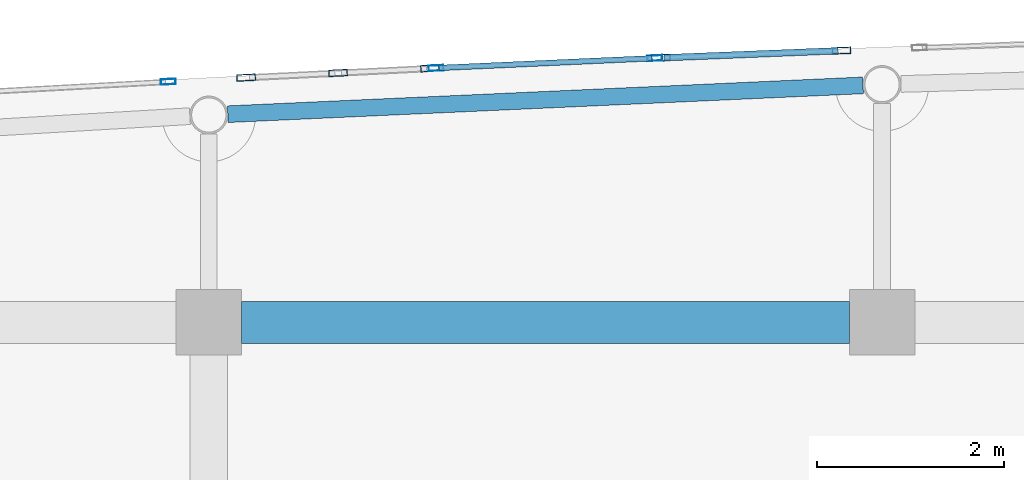
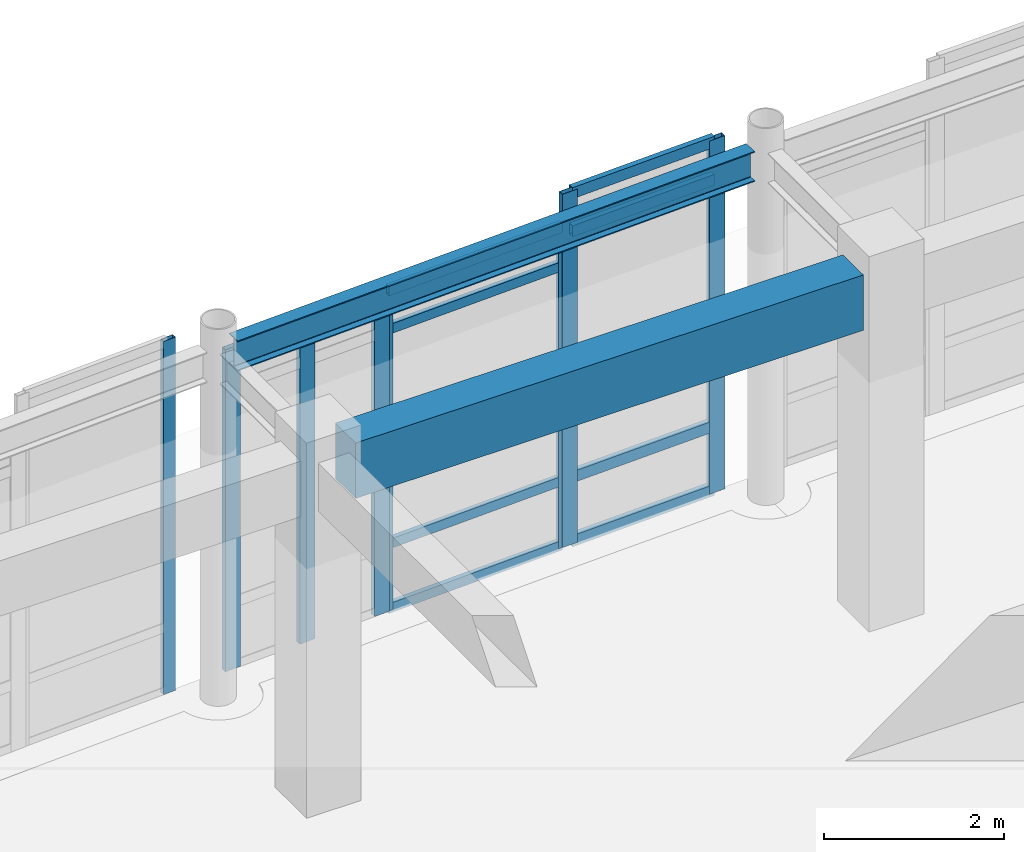
# One storey, part 46 of 117: 16 members, 2 beams, 4 elements without a shape of their own.
"""IFC4 building model written with IfcOpenShell, lengths in metres."""

from ifc_helpers import new_model, si_unit, direction, frame, origin, origin_2d, place, context, subcontext, project, spatial, rectangle, hollow_rectangle, i_section, extrude, material, layer, layer_set, material_profile, profile_set, type_object, element, aggregate, save


model = new_model("IFC4")

# Units and contexts
model_context = context("Model", 3, precision=1e-05, world=origin(), true_north=direction((0.0, 1.0)))
body_context = subcontext(model_context, "Body", "Model", "MODEL_VIEW")
ifc_project = project(units=[si_unit("LENGTHUNIT", "METRE"), si_unit("AREAUNIT", "SQUARE_METRE"), si_unit("VOLUMEUNIT", "CUBIC_METRE"), si_unit("PLANEANGLEUNIT", "RADIAN"), si_unit("MASSUNIT", "GRAM", prefix="KILO")], contexts=[model_context])

# Site, building, storey
site_placement = place(None, origin())
site = spatial("IfcSite", under=ifc_project, at=site_placement, CompositionType="ELEMENT")
building_placement = place(site_placement, origin())
building = spatial("IfcBuilding", under=site, at=building_placement, Name="Carrowvane Square Congress Hotel", CompositionType="ELEMENT")
storey_placement = place(building_placement, frame((0.0, 0.0, 5.39990234375)))
storey = spatial("IfcBuildingStorey", under=building, at=storey_placement, Name="L01", CompositionType="ELEMENT", Elevation=5.39990234375)

# Beams
ifc_material_1 = material(Name="Concrete C35/45", Category="concrete")
ifc_material_profile_1 = material_profile(ifc_material_1, rectangle(XDim=0.449951171875, YDim=0.75, at=origin_2d()), Name="RC 450x750")
ifc_profile_set_1 = profile_set([ifc_material_profile_1], Name="Concrete C35/45")
beam_type_1 = type_object("IfcBeamType", Name="BM-RC-450x750", PredefinedType="USERDEFINED", material=ifc_profile_set_1)
beam_1_placement = place(storey_placement, frame((76.75, 113.39990234375, 4.405029296875), z_axis=(1.0, 0.0, 0.0), x_axis=(0.0, 1.0, 0.0)))
element("IfcBeam", 1, at=beam_1_placement, inside=storey, type_object=beam_type_1, Name="L02 girder R/10-11", ObjectType="GIRDER", PredefinedType="USERDEFINED", context=body_context, shape_type="SweptSolid", body=[
    extrude(rectangle(XDim=0.449951171875, YDim=0.75, at=origin_2d()), origin(), (0.0, 0.0, 1.0), 6.5),
])
ifc_material_2 = material(Name="Steel S355", Category="steel")
ifc_material_profile_2 = material_profile(ifc_material_2, i_section(OverallWidth=0.1787109375, OverallDepth=0.409423828125, WebThickness=0.0087890625, FlangeThickness=0.014404296875, FilletRadius=0.01025390625, at=origin_2d()), Name="UKB 406x178x67")
ifc_profile_set_2 = profile_set([ifc_material_profile_2], Name="Steel S355")
beam_type_2 = type_object("IfcBeamType", Name="BM-ST-UKB406", PredefinedType="BEAM", material=ifc_profile_set_2)
beam_2_placement = place(storey_placement, frame((76.60302734375, 115.626708984375, 4.575439453125), z_axis=(0.998973271848, 0.045303445058, 0.0), x_axis=(-0.045303445058, 0.998973271848, 0.0)))
element("IfcBeam", 2, at=beam_2_placement, inside=storey, type_object=beam_type_2, Name="L02 curved north spandrel", PredefinedType="BEAM", context=body_context, shape_type="SweptSolid", body=[
    extrude(i_section(OverallWidth=0.1787109375, OverallDepth=0.409423828125, WebThickness=0.0087890625, FlangeThickness=0.014404296875, FilletRadius=0.01025390625, at=origin_2d()), origin(), (0.0, 0.0, 1.0), 6.801025390625),
])

# Curtain wall, member
ifc_material_3 = material(Name="Anodised aluminium", Category="aluminium")
ifc_layer_1 = layer(ifc_material_3, 0.23388671875)
ifc_layer_set_1 = layer_set([ifc_layer_1], Name="Anodised aluminium")
curtain_wall_type_1 = type_object("IfcCurtainWallType", Name="CW-SYS-7", PredefinedType="NOTDEFINED", material=ifc_layer_set_1)
curtain_wall_1_placement = place(storey_placement, origin())
curtain_wall_1 = element("IfcCurtainWall", 3, at=curtain_wall_1_placement, inside=storey, type_object=curtain_wall_type_1, Name="L01 unitised curtain wall 78", PredefinedType="NOTDEFINED")
ifc_material_4 = material(Name="Anodised aluminium", Category="aluminium")
ifc_material_profile_3 = material_profile(ifc_material_4, hollow_rectangle(XDim=0.06005859375, YDim=0.159912109375, WallThickness=0.00390625, at=origin_2d()), Name="CW-ML 60x160x4")
ifc_profile_set_3 = profile_set([ifc_material_profile_3], Name="Anodised aluminium")
member_type_1 = type_object("IfcMemberType", Name="CW-MUL-1", PredefinedType="MULLION", material=ifc_profile_set_3)
member_1_placement = place(storey_placement, frame((75.965576171875, 115.9736328125, 0.0), z_axis=(0.0, 0.0, 1.0), x_axis=(-0.054815980317, 0.998496473856, 0.0)))
member_1 = element("IfcMember", 4, at=member_1_placement, type_object=member_type_1, Name="CW-7 mullion 2", PredefinedType="MULLION", context=body_context, shape_type="SweptSolid", body=[
    extrude(hollow_rectangle(XDim=0.06005859375, YDim=0.159912109375, WallThickness=0.00390625, at=origin_2d()), origin(), (0.0, 0.0, 1.0), 4.780029296875),
])
aggregate(curtain_wall_1, [member_1])

# Curtain wall, members
ifc_material_5 = material(Name="Anodised aluminium", Category="aluminium")
ifc_layer_2 = layer(ifc_material_5, 0.162109375)
ifc_layer_set_2 = layer_set([ifc_layer_2], Name="Anodised aluminium")
curtain_wall_type_2 = type_object("IfcCurtainWallType", Name="CW-SYS-1", PredefinedType="NOTDEFINED", material=ifc_layer_set_2)
curtain_wall_2_placement = place(storey_placement, origin())
curtain_wall_2 = element("IfcCurtainWall", 5, at=curtain_wall_2_placement, inside=storey, type_object=curtain_wall_type_2, Name="L01 unitised curtain wall 80", PredefinedType="NOTDEFINED")
member_2_placement = place(storey_placement, frame((78.830078125, 116.119873046875, 0.0), z_axis=(0.0, 0.0, 1.0), x_axis=(-0.045411059449, 0.998968385726, 0.0)))
member_2 = element("IfcMember", 6, at=member_2_placement, type_object=member_type_1, Name="CW-1 mullion 1", PredefinedType="MULLION", context=body_context, shape_type="SweptSolid", body=[
    extrude(hollow_rectangle(XDim=0.06005859375, YDim=0.159912109375, WallThickness=0.00390625, at=origin_2d()), origin(), (0.0, 0.0, 1.0), 4.355712890625),
])
member_3_placement = place(storey_placement, frame((81.170166015625, 116.226318359375, 0.0), z_axis=(0.0, 0.0, 1.0), x_axis=(-0.045411059449, 0.998968385726, 0.0)))
member_3 = element("IfcMember", 7, at=member_3_placement, type_object=member_type_1, Name="CW-1 mullion 2", PredefinedType="MULLION", context=body_context, shape_type="SweptSolid", body=[
    extrude(hollow_rectangle(XDim=0.06005859375, YDim=0.159912109375, WallThickness=0.00390625, at=origin_2d()), origin(), (0.0, 0.0, 1.0), 4.355712890625),
])

ifc_material_6 = material(Name="Anodised aluminium", Category="aluminium")
ifc_layer_3 = layer(ifc_material_6, 0.24609375)
ifc_layer_set_3 = layer_set([ifc_layer_3], Name="Anodised aluminium")
curtain_wall_type_3 = type_object("IfcCurtainWallType", Name="CW-SYS-8", PredefinedType="NOTDEFINED", material=ifc_layer_set_3)
curtain_wall_3_placement = place(storey_placement, origin())
curtain_wall_3 = element("IfcCurtainWall", 8, at=curtain_wall_3_placement, inside=storey, type_object=curtain_wall_type_3, Name="L01 unitised curtain wall 79", PredefinedType="NOTDEFINED")
ifc_material_7 = material(Name="Anodised aluminium", Category="aluminium")
ifc_material_profile_4 = material_profile(ifc_material_7, hollow_rectangle(XDim=0.070068359375, YDim=0.199951171875, WallThickness=0.0048828125, at=origin_2d()), Name="CW-ML 70x200x5")
ifc_profile_set_4 = profile_set([ifc_material_profile_4], Name="Anodised aluminium")
member_type_2 = type_object("IfcMemberType", Name="CW-MUL-2", PredefinedType="MULLION", material=ifc_profile_set_4)
member_4_placement = place(storey_placement, frame((76.799560546875, 116.017822265625, 0.0), z_axis=(0.0, 0.0, 1.0), x_axis=(-0.050323791596, 0.998732955299, 0.0)))
member_4 = element("IfcMember", 9, at=member_4_placement, type_object=member_type_2, Name="CW-8 mullion 1", PredefinedType="MULLION", context=body_context, shape_type="SweptSolid", body=[
    extrude(hollow_rectangle(XDim=0.070068359375, YDim=0.199951171875, WallThickness=0.0048828125, at=origin_2d()), origin(), (0.0, 0.0, 1.0), 4.355712890625),
])
member_5_placement = place(storey_placement, frame((77.7822265625, 116.067138671875, 0.0), z_axis=(0.0, 0.0, 1.0), x_axis=(-0.050323791596, 0.998732955299, 0.0)))
member_5 = element("IfcMember", 10, at=member_5_placement, type_object=member_type_2, Name="CW-8 mullion 2", PredefinedType="MULLION", context=body_context, shape_type="SweptSolid", body=[
    extrude(hollow_rectangle(XDim=0.070068359375, YDim=0.199951171875, WallThickness=0.0048828125, at=origin_2d()), origin(), (0.0, 0.0, 1.0), 4.355712890625),
])
member_6_placement = place(storey_placement, frame((78.764892578125, 116.11669921875, 0.0), z_axis=(0.0, 0.0, 1.0), x_axis=(-0.050323791596, 0.998732955299, 0.0)))
member_6 = element("IfcMember", 11, at=member_6_placement, type_object=member_type_2, Name="CW-8 mullion 3", PredefinedType="MULLION", context=body_context, shape_type="SweptSolid", body=[
    extrude(hollow_rectangle(XDim=0.070068359375, YDim=0.199951171875, WallThickness=0.0048828125, at=origin_2d()), origin(), (0.0, 0.0, 1.0), 4.355712890625),
])
aggregate(curtain_wall_3, [member_4, member_5, member_6])

ifc_material_8 = material(Name="Anodised aluminium", Category="aluminium")
ifc_layer_4 = layer(ifc_material_8, 0.174072265625)
ifc_layer_set_4 = layer_set([ifc_layer_4], Name="Anodised aluminium")
curtain_wall_type_4 = type_object("IfcCurtainWallType", Name="CW-SYS-2", PredefinedType="NOTDEFINED", material=ifc_layer_set_4)
curtain_wall_4_placement = place(storey_placement, origin())
curtain_wall_4 = element("IfcCurtainWall", 12, at=curtain_wall_4_placement, inside=storey, type_object=curtain_wall_type_4, Name="L01 unitised curtain wall 81", PredefinedType="NOTDEFINED")
member_7_placement = place(storey_placement, frame((81.23486328125, 116.22900390625, 0.0), z_axis=(0.0, 0.0, 1.0), x_axis=(-0.040135742379, 0.999194236464, 0.0)))
member_7 = element("IfcMember", 13, at=member_7_placement, type_object=member_type_2, Name="CW-2 mullion 1", PredefinedType="MULLION", context=body_context, shape_type="SweptSolid", body=[
    extrude(hollow_rectangle(XDim=0.070068359375, YDim=0.199951171875, WallThickness=0.0048828125, at=origin_2d()), origin(), (0.0, 0.0, 1.0), 4.780029296875),
])
member_8_placement = place(storey_placement, frame((83.166015625, 116.306640625, 0.0), z_axis=(0.0, 0.0, 1.0), x_axis=(-0.040135742379, 0.999194236464, 0.0)))
member_8 = element("IfcMember", 14, at=member_8_placement, type_object=member_type_2, Name="CW-2 mullion 2", PredefinedType="MULLION", context=body_context, shape_type="SweptSolid", body=[
    extrude(hollow_rectangle(XDim=0.070068359375, YDim=0.199951171875, WallThickness=0.0048828125, at=origin_2d()), origin(), (0.0, 0.0, 1.0), 4.780029296875),
])

# Member
ifc_material_9 = material(Name="Anodised aluminium", Category="aluminium")
ifc_material_profile_5 = material_profile(ifc_material_9, hollow_rectangle(XDim=0.06005859375, YDim=0.1298828125, WallThickness=0.00390625, at=origin_2d()), Name="CW-TR 60x130x4")
ifc_profile_set_5 = profile_set([ifc_material_profile_5], Name="Anodised aluminium")
member_type_3 = type_object("IfcMemberType", Name="CW-TRN-1", PredefinedType="USERDEFINED", material=ifc_profile_set_5)
member_9_placement = place(storey_placement, frame((78.85986328125, 116.121337890625, 0.030029296875), z_axis=(0.998971184853, 0.045349441368, 0.0), x_axis=(-0.045349441368, 0.998971184853, 0.0)))
member_9 = element("IfcMember", 15, at=member_9_placement, type_object=member_type_3, Name="CW-1 transom 1.1", ObjectType="TRANSOM", PredefinedType="USERDEFINED", context=body_context, shape_type="SweptSolid", body=[
    extrude(hollow_rectangle(XDim=0.06005859375, YDim=0.1298828125, WallThickness=0.00390625, at=origin_2d()), origin(), (0.0, 0.0, 1.0), 2.28271484375),
])

member_10_placement = place(storey_placement, frame((78.85986328125, 116.121337890625, 0.900146484375), z_axis=(0.998971184853, 0.045349441368, 0.0), x_axis=(-0.045349441368, 0.998971184853, 0.0)))
member_10 = element("IfcMember", 16, at=member_10_placement, type_object=member_type_3, Name="CW-1 transom 1.2", ObjectType="TRANSOM", PredefinedType="USERDEFINED", context=body_context, shape_type="SweptSolid", body=[
    extrude(hollow_rectangle(XDim=0.06005859375, YDim=0.1298828125, WallThickness=0.00390625, at=origin_2d()), origin(), (0.0, 0.0, 1.0), 2.28271484375),
])

member_11_placement = place(storey_placement, frame((78.85986328125, 116.121337890625, 3.8056640625), z_axis=(0.998971184853, 0.045349441368, 0.0), x_axis=(-0.045349441368, 0.998971184853, 0.0)))
member_11 = element("IfcMember", 17, at=member_11_placement, type_object=member_type_3, Name="CW-1 transom 1.3", ObjectType="TRANSOM", PredefinedType="USERDEFINED", context=body_context, shape_type="SweptSolid", body=[
    extrude(hollow_rectangle(XDim=0.06005859375, YDim=0.1298828125, WallThickness=0.00390625, at=origin_2d()), origin(), (0.0, 0.0, 1.0), 2.28271484375),
])

member_12_placement = place(storey_placement, frame((78.85986328125, 116.121337890625, 4.32568359375), z_axis=(0.998971184853, 0.045349441368, 0.0), x_axis=(-0.045349441368, 0.998971184853, 0.0)))
member_12 = element("IfcMember", 18, at=member_12_placement, type_object=member_type_3, Name="CW-1 transom 1.4", ObjectType="TRANSOM", PredefinedType="USERDEFINED", context=body_context, shape_type="SweptSolid", body=[
    extrude(hollow_rectangle(XDim=0.06005859375, YDim=0.1298828125, WallThickness=0.00390625, at=origin_2d()), origin(), (0.0, 0.0, 1.0), 2.28271484375),
])

aggregate(curtain_wall_2, [member_2, member_3, member_9, member_10, member_11, member_12])

ifc_material_10 = material(Name="Anodised aluminium", Category="aluminium")
ifc_material_profile_6 = material_profile(ifc_material_10, hollow_rectangle(XDim=0.070068359375, YDim=0.14990234375, WallThickness=0.0048828125, at=origin_2d()), Name="CW-TR 70x150x5")
ifc_profile_set_6 = profile_set([ifc_material_profile_6], Name="Anodised aluminium")
member_type_4 = type_object("IfcMemberType", Name="CW-TRN-2", PredefinedType="USERDEFINED", material=ifc_profile_set_6)
member_13_placement = place(storey_placement, frame((81.27001953125, 116.23046875, 0.03515625), z_axis=(0.999195295271, 0.040109374308, 0.0), x_axis=(-0.040109374308, 0.999195295271, 0.0)))
member_13 = element("IfcMember", 19, at=member_13_placement, type_object=member_type_4, Name="CW-2 transom 1.1", ObjectType="TRANSOM", PredefinedType="USERDEFINED", context=body_context, shape_type="SweptSolid", body=[
    extrude(hollow_rectangle(XDim=0.070068359375, YDim=0.14990234375, WallThickness=0.0048828125, at=origin_2d()), origin(), (0.0, 0.0, 1.0), 1.862548828125),
])

member_14_placement = place(storey_placement, frame((81.27001953125, 116.23046875, 0.900146484375), z_axis=(0.999195295271, 0.040109374308, 0.0), x_axis=(-0.040109374308, 0.999195295271, 0.0)))
member_14 = element("IfcMember", 20, at=member_14_placement, type_object=member_type_4, Name="CW-2 transom 1.2", ObjectType="TRANSOM", PredefinedType="USERDEFINED", context=body_context, shape_type="SweptSolid", body=[
    extrude(hollow_rectangle(XDim=0.070068359375, YDim=0.14990234375, WallThickness=0.0048828125, at=origin_2d()), origin(), (0.0, 0.0, 1.0), 1.862548828125),
])

member_15_placement = place(storey_placement, frame((81.27001953125, 116.23046875, 4.22998046875), z_axis=(0.999195295271, 0.040109374308, 0.0), x_axis=(-0.040109374308, 0.999195295271, 0.0)))
member_15 = element("IfcMember", 21, at=member_15_placement, type_object=member_type_4, Name="CW-2 transom 1.3", ObjectType="TRANSOM", PredefinedType="USERDEFINED", context=body_context, shape_type="SweptSolid", body=[
    extrude(hollow_rectangle(XDim=0.070068359375, YDim=0.14990234375, WallThickness=0.0048828125, at=origin_2d()), origin(), (0.0, 0.0, 1.0), 1.862548828125),
])

member_16_placement = place(storey_placement, frame((81.27001953125, 116.23046875, 4.7451171875), z_axis=(0.999195295271, 0.040109374308, 0.0), x_axis=(-0.040109374308, 0.999195295271, 0.0)))
member_16 = element("IfcMember", 22, at=member_16_placement, type_object=member_type_4, Name="CW-2 transom 1.4", ObjectType="TRANSOM", PredefinedType="USERDEFINED", context=body_context, shape_type="SweptSolid", body=[
    extrude(hollow_rectangle(XDim=0.070068359375, YDim=0.14990234375, WallThickness=0.0048828125, at=origin_2d()), origin(), (0.0, 0.0, 1.0), 1.862548828125),
])

aggregate(curtain_wall_4, [member_7, member_8, member_13, member_14, member_15, member_16])

save(model, "model.ifc")
